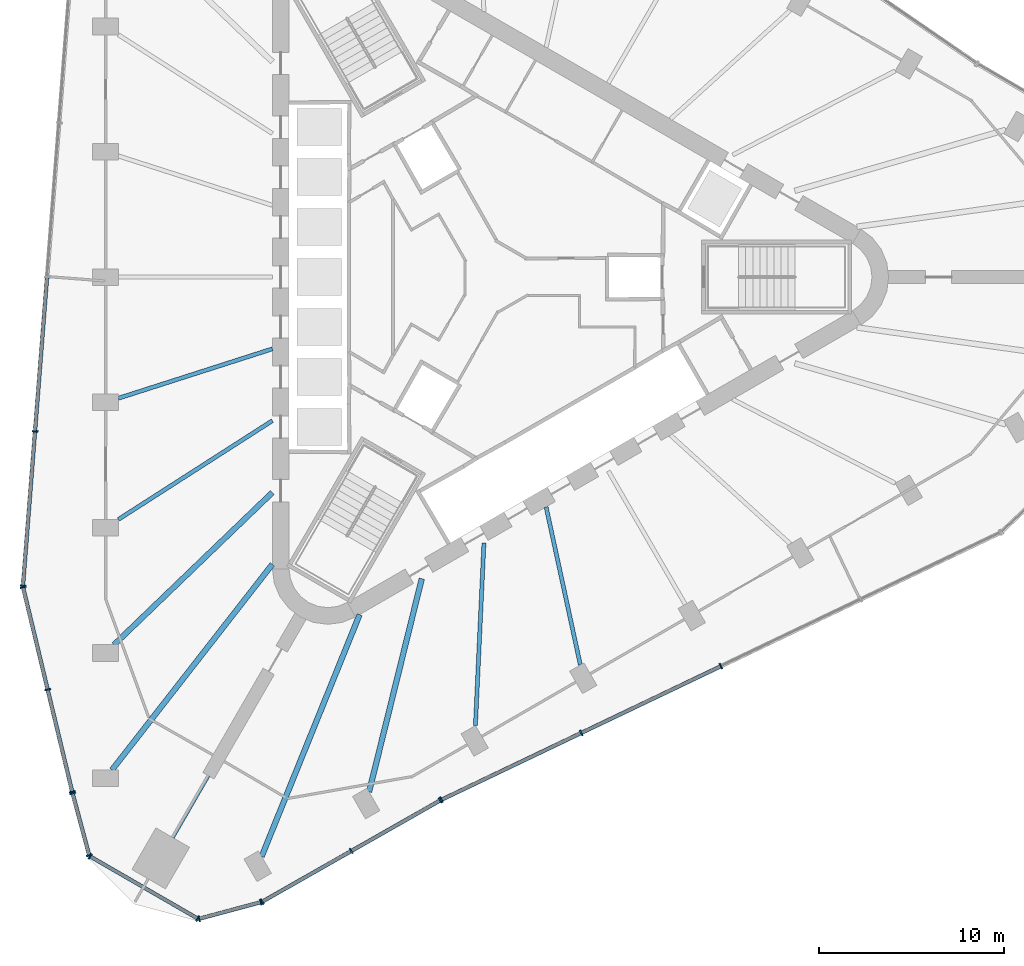
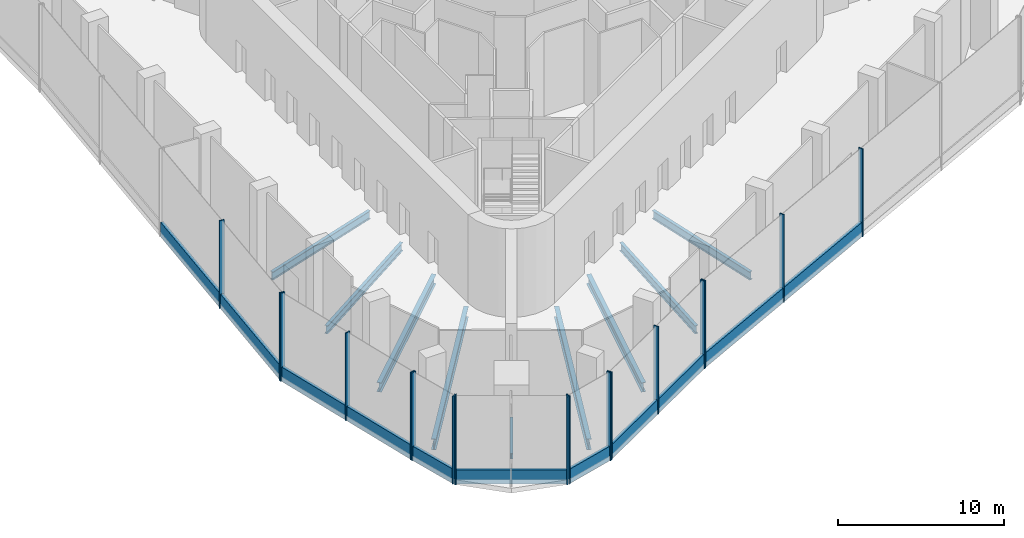
# One storey, part 2 of 15: 28 members, 9 beams, 7 elements without a shape of their own.
"""IFC4 building model written with IfcOpenShell, lengths in metres."""

from ifc_helpers import new_model, si_unit, direction, frame, origin, origin_2d, place, context, subcontext, project, spatial, rectangle, i_section, extrude, material, material_profile, profile_set, type_object, element, aggregate, save


model = new_model("IFC4")

# Units and contexts
model_context = context("Model", 3, precision=1e-05, world=origin(), true_north=direction((0.0, 1.0)))
body_context = subcontext(model_context, "Body", "Model", "MODEL_VIEW")
ifc_project = project(units=[si_unit("LENGTHUNIT", "METRE"), si_unit("AREAUNIT", "SQUARE_METRE"), si_unit("VOLUMEUNIT", "CUBIC_METRE"), si_unit("PLANEANGLEUNIT", "RADIAN"), si_unit("MASSUNIT", "GRAM", prefix="KILO")], contexts=[model_context])

# Site, building, storey
site_placement = place(None, origin())
site = spatial("IfcSite", under=ifc_project, at=site_placement, CompositionType="ELEMENT")
building_placement = place(site_placement, origin())
building = spatial("IfcBuilding", under=site, at=building_placement, Name="Tanit Gate Tower", CompositionType="ELEMENT")
storey_placement = place(building_placement, frame((0.0, 0.0, 277.199951171875)))
storey = spatial("IfcBuildingStorey", under=building, at=storey_placement, Name="L63", CompositionType="ELEMENT", Elevation=277.199951171875)

# Curtain wall, members
ifc_material_1 = material(Name="Aluminium bronze anodised and glass", Category="aluminium")
curtain_wall_type = type_object("IfcCurtainWallType", Name="Curtain wall sky lobby", PredefinedType="NOTDEFINED", material=ifc_material_1)
curtain_wall_1_placement = place(storey_placement, origin())
curtain_wall_1 = element("IfcCurtainWall", 1, at=curtain_wall_1_placement, inside=storey, type_object=curtain_wall_type, Name="Curtain wall L63 W2", PredefinedType="NOTDEFINED")
ifc_material_2 = material(Name="Aluminium bronze anodised", Category="aluminium")
ifc_material_profile_1 = material_profile(ifc_material_2, rectangle(XDim=0.320068359375, YDim=0.080078125, at=origin_2d()), Name="80x320 bronze mullion")
ifc_profile_set_1 = profile_set([ifc_material_profile_1], Name="Aluminium bronze anodised")
member_type_1 = type_object("IfcMemberType", Name="Mullion 80x320 sky lobby", PredefinedType="MULLION", material=ifc_profile_set_1)
member_1_placement = place(storey_placement, frame((-24.926025390625, -8.33935546875, -0.349853515625), z_axis=(0.0, 0.0, 1.0), x_axis=(0.996976695812, -0.077701145467, 0.0)))
member_1 = element("IfcMember", 2, at=member_1_placement, type_object=member_type_1, Name="Mullion L63 W2.4", PredefinedType="MULLION", context=body_context, shape_type="SweptSolid", body=[
    extrude(rectangle(XDim=0.320068359375, YDim=0.080078125, at=origin_2d()), origin(), (0.0, 0.0, 1.0), 6.449951171875),
])
member_2_placement = place(storey_placement, frame((-25.576171875, -16.680908203125, -0.349853515625), z_axis=(0.0, 0.0, 1.0), x_axis=(0.996976695812, -0.077701145467, 0.0)))
member_2 = element("IfcMember", 3, at=member_2_placement, type_object=member_type_1, Name="Mullion L63 W2.5", PredefinedType="MULLION", context=body_context, shape_type="SweptSolid", body=[
    extrude(rectangle(XDim=0.320068359375, YDim=0.080078125, at=origin_2d()), origin(), (0.0, 0.0, 1.0), 6.449951171875),
])

curtain_wall_2_placement = place(storey_placement, origin())
curtain_wall_2 = element("IfcCurtainWall", 4, at=curtain_wall_2_placement, inside=storey, type_object=curtain_wall_type, Name="Curtain wall L63 W3", PredefinedType="NOTDEFINED")
member_3_placement = place(storey_placement, frame((-25.56982421875, -16.759765625, -0.349853515625), z_axis=(0.0, 0.0, 1.0), x_axis=(0.972346671919, 0.233542179505, 0.0)))
member_3 = element("IfcMember", 5, at=member_3_placement, type_object=member_type_1, Name="Mullion L63 W3.1", PredefinedType="MULLION", context=body_context, shape_type="SweptSolid", body=[
    extrude(rectangle(XDim=0.320068359375, YDim=0.080078125, at=origin_2d()), origin(), (0.0, 0.0, 1.0), 6.449951171875),
])
member_4_placement = place(storey_placement, frame((-24.2421875, -22.28759765625, -0.349853515625), z_axis=(0.0, 0.0, 1.0), x_axis=(0.972346671919, 0.233542179505, 0.0)))
member_4 = element("IfcMember", 6, at=member_4_placement, type_object=member_type_1, Name="Mullion L63 W3.2", PredefinedType="MULLION", context=body_context, shape_type="SweptSolid", body=[
    extrude(rectangle(XDim=0.320068359375, YDim=0.080078125, at=origin_2d()), origin(), (0.0, 0.0, 1.0), 6.449951171875),
])
member_5_placement = place(storey_placement, frame((-22.91455078125, -27.8154296875, -0.349853515625), z_axis=(0.0, 0.0, 1.0), x_axis=(0.972346671919, 0.233542179505, 0.0)))
member_5 = element("IfcMember", 7, at=member_5_placement, type_object=member_type_1, Name="Mullion L63 W3.3", PredefinedType="MULLION", context=body_context, shape_type="SweptSolid", body=[
    extrude(rectangle(XDim=0.320068359375, YDim=0.080078125, at=origin_2d()), origin(), (0.0, 0.0, 1.0), 6.449951171875),
])

curtain_wall_3_placement = place(storey_placement, origin())
curtain_wall_3 = element("IfcCurtainWall", 8, at=curtain_wall_3_placement, inside=storey, type_object=curtain_wall_type, Name="Curtain wall L63 SW.arc1", PredefinedType="NOTDEFINED")
member_6_placement = place(storey_placement, frame((-22.894775390625, -27.89306640625, -0.349853515625), z_axis=(0.0, 0.0, 1.0), x_axis=(0.965925826289, 0.258819045103, 0.0)))
member_6 = element("IfcMember", 9, at=member_6_placement, type_object=member_type_1, Name="Mullion L63 SW.arc1.1", PredefinedType="MULLION", context=body_context, shape_type="SweptSolid", body=[
    extrude(rectangle(XDim=0.320068359375, YDim=0.080078125, at=origin_2d()), origin(), (0.0, 0.0, 1.0), 6.449951171875),
])
member_7_placement = place(storey_placement, frame((-21.996826171875, -31.244384765625, -0.349853515625), z_axis=(0.0, 0.0, 1.0), x_axis=(0.965925826289, 0.258819045103, 0.0)))
member_7 = element("IfcMember", 10, at=member_7_placement, type_object=member_type_1, Name="Mullion L63 SW.arc1.2", PredefinedType="MULLION", context=body_context, shape_type="SweptSolid", body=[
    extrude(rectangle(XDim=0.320068359375, YDim=0.080078125, at=origin_2d()), origin(), (0.0, 0.0, 1.0), 6.449951171875),
])

curtain_wall_4_placement = place(storey_placement, origin())
curtain_wall_4 = element("IfcCurtainWall", 11, at=curtain_wall_4_placement, inside=storey, type_object=curtain_wall_type, Name="Curtain wall L63 SW.arc2", PredefinedType="NOTDEFINED")
member_8_placement = place(storey_placement, frame((-21.95166015625, -31.30322265625, -0.349853515625), z_axis=(0.0, 0.0, 1.0), x_axis=(0.5, 0.866025403784, 0.0)))
member_8 = element("IfcMember", 12, at=member_8_placement, type_object=member_type_1, Name="Mullion L63 SW.arc2.1", PredefinedType="MULLION", context=body_context, shape_type="SweptSolid", body=[
    extrude(rectangle(XDim=0.320068359375, YDim=0.080078125, at=origin_2d()), origin(), (0.0, 0.0, 1.0), 6.449951171875),
])
member_9_placement = place(storey_placement, frame((-16.133544921875, -34.662353515625, -0.349853515625), z_axis=(0.0, 0.0, 1.0), x_axis=(0.5, 0.866025403784, 0.0)))
member_9 = element("IfcMember", 13, at=member_9_placement, type_object=member_type_1, Name="Mullion L63 SW.arc2.2", PredefinedType="MULLION", context=body_context, shape_type="SweptSolid", body=[
    extrude(rectangle(XDim=0.320068359375, YDim=0.080078125, at=origin_2d()), origin(), (0.0, 0.0, 1.0), 6.449951171875),
])

curtain_wall_5_placement = place(storey_placement, origin())
curtain_wall_5 = element("IfcCurtainWall", 14, at=curtain_wall_5_placement, inside=storey, type_object=curtain_wall_type, Name="Curtain wall L63 SW.arc3", PredefinedType="NOTDEFINED")
member_10_placement = place(storey_placement, frame((-16.06005859375, -34.671875, -0.349853515625), z_axis=(0.0, 0.0, 1.0), x_axis=(-0.258819045103, 0.965925826289, 0.0)))
member_10 = element("IfcMember", 15, at=member_10_placement, type_object=member_type_1, Name="Mullion L63 SW.arc3.1", PredefinedType="MULLION", context=body_context, shape_type="SweptSolid", body=[
    extrude(rectangle(XDim=0.320068359375, YDim=0.080078125, at=origin_2d()), origin(), (0.0, 0.0, 1.0), 6.449951171875),
])
member_11_placement = place(storey_placement, frame((-12.72216796875, -33.777587890625, -0.349853515625), z_axis=(0.0, 0.0, 1.0), x_axis=(-0.258819045103, 0.965925826289, 0.0)))
member_11 = element("IfcMember", 16, at=member_11_placement, type_object=member_type_1, Name="Mullion L63 SW.arc3.2", PredefinedType="MULLION", context=body_context, shape_type="SweptSolid", body=[
    extrude(rectangle(XDim=0.320068359375, YDim=0.080078125, at=origin_2d()), origin(), (0.0, 0.0, 1.0), 6.449951171875),
])

curtain_wall_6_placement = place(storey_placement, origin())
curtain_wall_6 = element("IfcCurtainWall", 17, at=curtain_wall_6_placement, inside=storey, type_object=curtain_wall_type, Name="Curtain wall L63 SE1", PredefinedType="NOTDEFINED")
member_12_placement = place(storey_placement, frame((-12.648681640625, -33.747314453125, -0.349853515625), z_axis=(0.0, 0.0, 1.0), x_axis=(-0.494470124873, 0.8691946247, 0.0)))
member_12 = element("IfcMember", 18, at=member_12_placement, type_object=member_type_1, Name="Mullion L63 SE1.1", PredefinedType="MULLION", context=body_context, shape_type="SweptSolid", body=[
    extrude(rectangle(XDim=0.320068359375, YDim=0.080078125, at=origin_2d()), origin(), (0.0, 0.0, 1.0), 6.449951171875),
])
member_13_placement = place(storey_placement, frame((-7.8408203125, -31.01220703125, -0.349853515625), z_axis=(0.0, 0.0, 1.0), x_axis=(-0.494470124873, 0.8691946247, 0.0)))
member_13 = element("IfcMember", 19, at=member_13_placement, type_object=member_type_1, Name="Mullion L63 SE1.2", PredefinedType="MULLION", context=body_context, shape_type="SweptSolid", body=[
    extrude(rectangle(XDim=0.320068359375, YDim=0.080078125, at=origin_2d()), origin(), (0.0, 0.0, 1.0), 6.449951171875),
])
member_14_placement = place(storey_placement, frame((-3.032958984375, -28.27734375, -0.349853515625), z_axis=(0.0, 0.0, 1.0), x_axis=(-0.494470124873, 0.8691946247, 0.0)))
member_14 = element("IfcMember", 20, at=member_14_placement, type_object=member_type_1, Name="Mullion L63 SE1.3", PredefinedType="MULLION", context=body_context, shape_type="SweptSolid", body=[
    extrude(rectangle(XDim=0.320068359375, YDim=0.080078125, at=origin_2d()), origin(), (0.0, 0.0, 1.0), 6.449951171875),
])

curtain_wall_7_placement = place(storey_placement, origin())
curtain_wall_7 = element("IfcCurtainWall", 21, at=curtain_wall_7_placement, inside=storey, type_object=curtain_wall_type, Name="Curtain wall L63 SE2", PredefinedType="NOTDEFINED")
member_15_placement = place(storey_placement, frame((-2.962158203125, -28.240234375, -0.349853515625), z_axis=(0.0, 0.0, 1.0), x_axis=(-0.431197182029, 0.902257718288, 0.0)))
member_15 = element("IfcMember", 22, at=member_15_placement, type_object=member_type_1, Name="Mullion L63 SE2.1", PredefinedType="MULLION", context=body_context, shape_type="SweptSolid", body=[
    extrude(rectangle(XDim=0.320068359375, YDim=0.080078125, at=origin_2d()), origin(), (0.0, 0.0, 1.0), 6.449951171875),
])
member_16_placement = place(storey_placement, frame((4.5869140625, -24.63232421875, -0.349853515625), z_axis=(0.0, 0.0, 1.0), x_axis=(-0.431197182029, 0.902257718288, 0.0)))
member_16 = element("IfcMember", 23, at=member_16_placement, type_object=member_type_1, Name="Mullion L63 SE2.2", PredefinedType="MULLION", context=body_context, shape_type="SweptSolid", body=[
    extrude(rectangle(XDim=0.320068359375, YDim=0.080078125, at=origin_2d()), origin(), (0.0, 0.0, 1.0), 6.449951171875),
])
member_17_placement = place(storey_placement, frame((12.135986328125, -21.024658203125, -0.349853515625), z_axis=(0.0, 0.0, 1.0), x_axis=(-0.431197182029, 0.902257718288, 0.0)))
member_17 = element("IfcMember", 24, at=member_17_placement, type_object=member_type_1, Name="Mullion L63 SE2.3", PredefinedType="MULLION", context=body_context, shape_type="SweptSolid", body=[
    extrude(rectangle(XDim=0.320068359375, YDim=0.080078125, at=origin_2d()), origin(), (0.0, 0.0, 1.0), 6.449951171875),
])

# Beams
ifc_material_3 = material(Name="Steel S355", Category="steel")
ifc_material_profile_2 = material_profile(ifc_material_3, i_section(OverallWidth=0.300048828125, OverallDepth=0.68994140625, WebThickness=0.014404296875, FlangeThickness=0.027099609375, FilletRadius=0.027099609375, at=origin_2d()), Name="HEA 700")
ifc_profile_set_2 = profile_set([ifc_material_profile_2], Name="Steel S355")
beam_type_1 = type_object("IfcBeamType", Name="RADIAL GIRDER HEA 700 S355", PredefinedType="BEAM", material=ifc_profile_set_2)
beam_1_placement = place(storey_placement, frame((-20.653564453125, -19.86279296875, -0.695068359375), z_axis=(0.720779680612, 0.693164231634, 0.0), x_axis=(-0.693164231634, 0.720779680612, 0.0)))
element("IfcBeam", 25, at=beam_1_placement, inside=storey, type_object=beam_type_1, Name="RADIAL GIRDER", PredefinedType="BEAM", context=body_context, shape_type="SweptSolid", body=[
    extrude(i_section(OverallWidth=0.300048828125, OverallDepth=0.68994140625, WebThickness=0.014404296875, FlangeThickness=0.027099609375, FilletRadius=0.027099609375, at=origin_2d()), origin(), (0.0, 0.0, 1.0), 11.8642578125),
])
beam_2_placement = place(storey_placement, frame((-6.875, -27.818115234375, -0.695068359375), z_axis=(0.239929921854, 0.970790210395, 0.0), x_axis=(-0.970790210395, 0.239929921854, 0.0)))
element("IfcBeam", 26, at=beam_2_placement, inside=storey, type_object=beam_type_1, Name="RADIAL GIRDER", PredefinedType="BEAM", context=body_context, shape_type="SweptSolid", body=[
    extrude(i_section(OverallWidth=0.300048828125, OverallDepth=0.68994140625, WebThickness=0.014404296875, FlangeThickness=0.027099609375, FilletRadius=0.027099609375, at=origin_2d()), origin(), (0.0, 0.0, 1.0), 11.86474609375),
])
ifc_material_4 = material(Name="Steel S355", Category="steel")
ifc_material_profile_3 = material_profile(ifc_material_4, i_section(OverallWidth=0.300048828125, OverallDepth=0.7900390625, WebThickness=0.014892578125, FlangeThickness=0.028076171875, FilletRadius=0.030029296875, at=origin_2d()), Name="HEA 800")
ifc_profile_set_3 = profile_set([ifc_material_profile_3], Name="Steel S355")
beam_type_2 = type_object("IfcBeamType", Name="RADIAL GIRDER HEA 800 S355", PredefinedType="BEAM", material=ifc_profile_set_3)
beam_3_placement = place(storey_placement, frame((-20.7705078125, -26.6337890625, -0.744873046875), z_axis=(0.614960509334, 0.788557906536, 0.0), x_axis=(-0.788557906536, 0.614960509334, 0.0)))
element("IfcBeam", 27, at=beam_3_placement, inside=storey, type_object=beam_type_2, Name="RADIAL GIRDER", PredefinedType="BEAM", context=body_context, shape_type="SweptSolid", body=[
    extrude(i_section(OverallWidth=0.300048828125, OverallDepth=0.7900390625, WebThickness=0.014892578125, FlangeThickness=0.028076171875, FilletRadius=0.030029296875, at=origin_2d()), origin(), (0.0, 0.0, 1.0), 14.095947265625),
])
beam_4_placement = place(storey_placement, frame((-12.680419921875, -31.3046875, -0.744873046875), z_axis=(0.375439354179, 0.926846962197, 0.0), x_axis=(-0.926846962197, 0.375439354179, 0.0)))
element("IfcBeam", 28, at=beam_4_placement, inside=storey, type_object=beam_type_2, Name="RADIAL GIRDER", PredefinedType="BEAM", context=body_context, shape_type="SweptSolid", body=[
    extrude(i_section(OverallWidth=0.300048828125, OverallDepth=0.7900390625, WebThickness=0.014892578125, FlangeThickness=0.028076171875, FilletRadius=0.030029296875, at=origin_2d()), origin(), (0.0, 0.0, 1.0), 14.09619140625),
])
ifc_material_5 = material(Name="Steel S355", Category="steel")
ifc_material_profile_4 = material_profile(ifc_material_5, i_section(OverallWidth=0.179931640625, OverallDepth=0.39990234375, WebThickness=0.008544921875, FlangeThickness=0.013427734375, FilletRadius=0.02099609375, at=origin_2d()), Name="IPE 400")
ifc_profile_set_4 = profile_set([ifc_material_profile_4], Name="Steel S355")
beam_type_3 = type_object("IfcBeamType", Name="RADIAL GIRDER IPE 400 S355", PredefinedType="BEAM", material=ifc_profile_set_4)
beam_5_placement = place(storey_placement, frame((-17.485107421875, -30.28515625, -0.550048828125), z_axis=(0.499980071345, 0.866036909293, 0.0), x_axis=(-0.866036909293, 0.499980071345, 0.0)))
element("IfcBeam", 29, at=beam_5_placement, inside=storey, type_object=beam_type_3, Name="RADIAL GIRDER", PredefinedType="BEAM", context=body_context, shape_type="SweptSolid", body=[
    extrude(i_section(OverallWidth=0.179931640625, OverallDepth=0.39990234375, WebThickness=0.008544921875, FlangeThickness=0.013427734375, FilletRadius=0.02099609375, at=origin_2d()), origin(), (0.0, 0.0, 1.0), 3.855712890625),
])
ifc_material_6 = material(Name="Steel S355", Category="steel")
ifc_material_profile_5 = material_profile(ifc_material_6, i_section(OverallWidth=0.219970703125, OverallDepth=0.60009765625, WebThickness=0.011962890625, FlangeThickness=0.01904296875, FilletRadius=0.02392578125, at=origin_2d()), Name="IPE 600")
ifc_profile_set_5 = profile_set([ifc_material_profile_5], Name="Steel S355")
beam_type_4 = type_object("IfcBeamType", Name="RADIAL GIRDER IPE 600 S355", PredefinedType="BEAM", material=ifc_profile_set_5)
beam_6_placement = place(storey_placement, frame((-20.42138671875, -6.546630859375, -0.64990234375), z_axis=(0.952264375412, 0.305274563828, 0.0), x_axis=(-0.305274563828, 0.952264375412, 0.0)))
element("IfcBeam", 30, at=beam_6_placement, inside=storey, type_object=beam_type_4, Name="RADIAL GIRDER", PredefinedType="BEAM", context=body_context, shape_type="SweptSolid", body=[
    extrude(i_section(OverallWidth=0.219970703125, OverallDepth=0.60009765625, WebThickness=0.011962890625, FlangeThickness=0.01904296875, FilletRadius=0.02392578125, at=origin_2d()), origin(), (0.0, 0.0, 1.0), 8.736328125),
])
beam_7_placement = place(storey_placement, frame((-20.42138671875, -13.09326171875, -0.64990234375), z_axis=(0.841829634381, 0.539743334075, 0.0), x_axis=(-0.539743334075, 0.841829634381, 0.0)))
element("IfcBeam", 31, at=beam_7_placement, inside=storey, type_object=beam_type_4, Name="RADIAL GIRDER", PredefinedType="BEAM", context=body_context, shape_type="SweptSolid", body=[
    extrude(i_section(OverallWidth=0.219970703125, OverallDepth=0.60009765625, WebThickness=0.011962890625, FlangeThickness=0.01904296875, FilletRadius=0.02392578125, at=origin_2d()), origin(), (0.0, 0.0, 1.0), 9.88232421875),
])
beam_8_placement = place(storey_placement, frame((-1.12841796875, -24.232177734375, -0.64990234375), z_axis=(0.046517005863, 0.998917498178, 0.0), x_axis=(-0.998917498178, 0.046517005863, 0.0)))
element("IfcBeam", 32, at=beam_8_placement, inside=storey, type_object=beam_type_4, Name="RADIAL GIRDER", PredefinedType="BEAM", context=body_context, shape_type="SweptSolid", body=[
    extrude(i_section(OverallWidth=0.219970703125, OverallDepth=0.60009765625, WebThickness=0.011962890625, FlangeThickness=0.01904296875, FilletRadius=0.02392578125, at=origin_2d()), origin(), (0.0, 0.0, 1.0), 9.8828125),
])
beam_9_placement = place(storey_placement, frame((4.541259765625, -20.958740234375, -0.64990234375), z_axis=(-0.211767137826, 0.977320151914, 0.0), x_axis=(-0.977320151914, -0.211767137826, 0.0)))
element("IfcBeam", 33, at=beam_9_placement, inside=storey, type_object=beam_type_4, Name="RADIAL GIRDER", PredefinedType="BEAM", context=body_context, shape_type="SweptSolid", body=[
    extrude(i_section(OverallWidth=0.219970703125, OverallDepth=0.60009765625, WebThickness=0.011962890625, FlangeThickness=0.01904296875, FilletRadius=0.02392578125, at=origin_2d()), origin(), (0.0, 0.0, 1.0), 8.736572265625),
])

# Member
ifc_material_7 = material(Name="Aluminium bronze anodised", Category="aluminium")
ifc_material_profile_6 = material_profile(ifc_material_7, rectangle(XDim=0.199951171875, YDim=1.050048828125, at=origin_2d()), Name="200x1050 bronze transom")
ifc_profile_set_6 = profile_set([ifc_material_profile_6], Name="Aluminium bronze anodised")
member_type_2 = type_object("IfcMemberType", Name="Transom 200x1050 sky lobby", PredefinedType="USERDEFINED", material=ifc_profile_set_6)
member_18_placement = place(storey_placement, frame((-24.279052734375, -0.03759765625, 0.175048828125), z_axis=(-0.07769000697, -0.996977563848, 0.0), x_axis=(0.996977563848, -0.07769000697, 0.0)))
member_18 = element("IfcMember", 34, at=member_18_placement, type_object=member_type_2, Name="Transom L63 W2.3", ObjectType="TRANSOM", PredefinedType="USERDEFINED", context=body_context, shape_type="SweptSolid", body=[
    extrude(rectangle(XDim=0.199951171875, YDim=1.050048828125, at=origin_2d()), origin(), (0.0, 0.0, 1.0), 8.286865234375),
])

member_19_placement = place(storey_placement, frame((-24.92919921875, -8.379150390625, 0.175048828125), z_axis=(-0.07768772509, -0.996977741662, 0.0), x_axis=(0.996977741662, -0.07768772509, 0.0)))
member_19 = element("IfcMember", 35, at=member_19_placement, type_object=member_type_2, Name="Transom L63 W2.4", ObjectType="TRANSOM", PredefinedType="USERDEFINED", context=body_context, shape_type="SweptSolid", body=[
    extrude(rectangle(XDim=0.199951171875, YDim=1.050048828125, at=origin_2d()), origin(), (0.0, 0.0, 1.0), 8.287109375),
])

aggregate(curtain_wall_1, [member_1, member_2, member_18, member_19])

member_20_placement = place(storey_placement, frame((-25.560546875, -16.798583984375, 0.175048828125), z_axis=(0.233547568299, -0.972345377601, 0.0), x_axis=(0.972345377601, 0.233547568299, 0.0)))
member_20 = element("IfcMember", 36, at=member_20_placement, type_object=member_type_2, Name="Transom L63 W3.1", ObjectType="TRANSOM", PredefinedType="USERDEFINED", context=body_context, shape_type="SweptSolid", body=[
    extrude(rectangle(XDim=0.199951171875, YDim=1.050048828125, at=origin_2d()), origin(), (0.0, 0.0, 1.0), 5.605224609375),
])

member_21_placement = place(storey_placement, frame((-24.23291015625, -22.326416015625, 0.175048828125), z_axis=(0.233547568299, -0.972345377601, 0.0), x_axis=(0.972345377601, 0.233547568299, 0.0)))
member_21 = element("IfcMember", 37, at=member_21_placement, type_object=member_type_2, Name="Transom L63 W3.2", ObjectType="TRANSOM", PredefinedType="USERDEFINED", context=body_context, shape_type="SweptSolid", body=[
    extrude(rectangle(XDim=0.199951171875, YDim=1.050048828125, at=origin_2d()), origin(), (0.0, 0.0, 1.0), 5.605224609375),
])

aggregate(curtain_wall_2, [member_3, member_4, member_5, member_20, member_21])

member_22_placement = place(storey_placement, frame((-22.88427734375, -27.931640625, 0.175048828125), z_axis=(0.258787687785, -0.965934227911, 0.0), x_axis=(0.965934227911, 0.258787687785, 0.0)))
member_22 = element("IfcMember", 38, at=member_22_placement, type_object=member_type_2, Name="Transom L63 SW.arc1.1", ObjectType="TRANSOM", PredefinedType="USERDEFINED", context=body_context, shape_type="SweptSolid", body=[
    extrude(rectangle(XDim=0.199951171875, YDim=1.050048828125, at=origin_2d()), origin(), (0.0, 0.0, 1.0), 3.3896484375),
])

aggregate(curtain_wall_3, [member_6, member_7, member_22])

member_23_placement = place(storey_placement, frame((-21.9169921875, -31.3232421875, 0.175048828125), z_axis=(0.866032476631, -0.49998774927, 0.0), x_axis=(0.49998774927, 0.866032476631, 0.0)))
member_23 = element("IfcMember", 39, at=member_23_placement, type_object=member_type_2, Name="Transom L63 SW.arc2.1", ObjectType="TRANSOM", PredefinedType="USERDEFINED", context=body_context, shape_type="SweptSolid", body=[
    extrude(rectangle(XDim=0.199951171875, YDim=1.050048828125, at=origin_2d()), origin(), (0.0, 0.0, 1.0), 6.638427734375),
])

aggregate(curtain_wall_4, [member_8, member_9, member_23])

member_24_placement = place(storey_placement, frame((-16.021484375, -34.66162109375, 0.175048828125), z_axis=(0.965920933848, 0.258837303253, 0.0), x_axis=(-0.258837303253, 0.965920933848, 0.0)))
member_24 = element("IfcMember", 40, at=member_24_placement, type_object=member_type_2, Name="Transom L63 SW.arc3.1", ObjectType="TRANSOM", PredefinedType="USERDEFINED", context=body_context, shape_type="SweptSolid", body=[
    extrude(rectangle(XDim=0.199951171875, YDim=1.050048828125, at=origin_2d()), origin(), (0.0, 0.0, 1.0), 3.375732421875),
])

aggregate(curtain_wall_5, [member_10, member_11, member_24])

member_25_placement = place(storey_placement, frame((-12.61376953125, -33.7275390625, 0.175048828125), z_axis=(0.869200671839, 0.494459494878, 0.0), x_axis=(-0.494459494878, 0.869200671839, 0.0)))
member_25 = element("IfcMember", 41, at=member_25_placement, type_object=member_type_2, Name="Transom L63 SE1.1", ObjectType="TRANSOM", PredefinedType="USERDEFINED", context=body_context, shape_type="SweptSolid", body=[
    extrude(rectangle(XDim=0.199951171875, YDim=1.050048828125, at=origin_2d()), origin(), (0.0, 0.0, 1.0), 5.450927734375),
])

member_26_placement = place(storey_placement, frame((-7.80615234375, -30.992431640625, 0.175048828125), z_axis=(0.869211621425, 0.494440246318, 0.0), x_axis=(-0.494440246318, 0.869211621425, 0.0)))
member_26 = element("IfcMember", 42, at=member_26_placement, type_object=member_type_2, Name="Transom L63 SE1.2", ObjectType="TRANSOM", PredefinedType="USERDEFINED", context=body_context, shape_type="SweptSolid", body=[
    extrude(rectangle(XDim=0.199951171875, YDim=1.050048828125, at=origin_2d()), origin(), (0.0, 0.0, 1.0), 5.451171875),
])

aggregate(curtain_wall_6, [member_12, member_13, member_14, member_25, member_26])

member_27_placement = place(storey_placement, frame((-2.926025390625, -28.222900390625, 0.175048828125), z_axis=(0.902257333807, 0.431197986534, 0.0), x_axis=(-0.431197986534, 0.902257333807, 0.0)))
member_27 = element("IfcMember", 43, at=member_27_placement, type_object=member_type_2, Name="Transom L63 SE2.1", ObjectType="TRANSOM", PredefinedType="USERDEFINED", context=body_context, shape_type="SweptSolid", body=[
    extrude(rectangle(XDim=0.199951171875, YDim=1.050048828125, at=origin_2d()), origin(), (0.0, 0.0, 1.0), 8.286865234375),
])

member_28_placement = place(storey_placement, frame((4.623046875, -24.615234375, 0.175048828125), z_axis=(0.902257333807, 0.431197986534, 0.0), x_axis=(-0.431197986534, 0.902257333807, 0.0)))
member_28 = element("IfcMember", 44, at=member_28_placement, type_object=member_type_2, Name="Transom L63 SE2.2", ObjectType="TRANSOM", PredefinedType="USERDEFINED", context=body_context, shape_type="SweptSolid", body=[
    extrude(rectangle(XDim=0.199951171875, YDim=1.050048828125, at=origin_2d()), origin(), (0.0, 0.0, 1.0), 8.286865234375),
])

aggregate(curtain_wall_7, [member_15, member_16, member_17, member_27, member_28])

save(model, "model.ifc")
